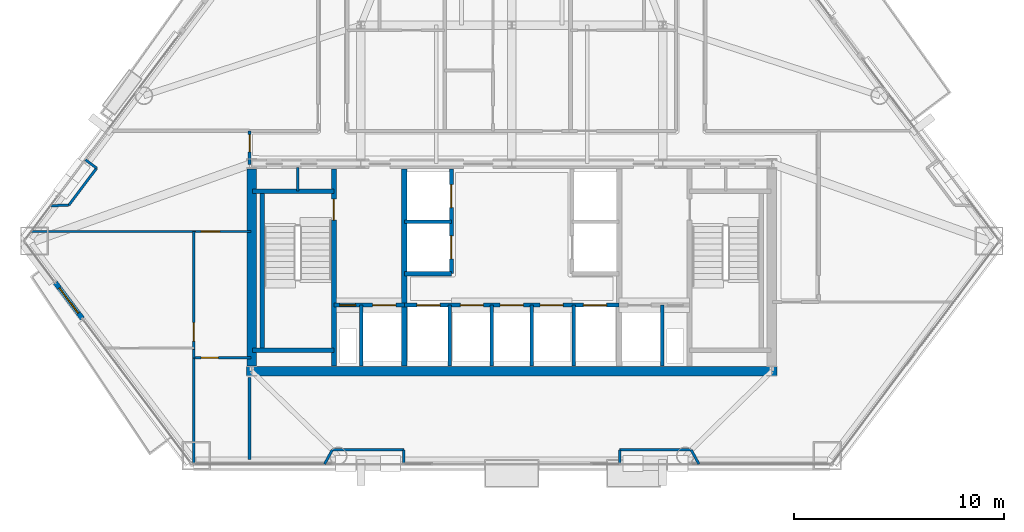
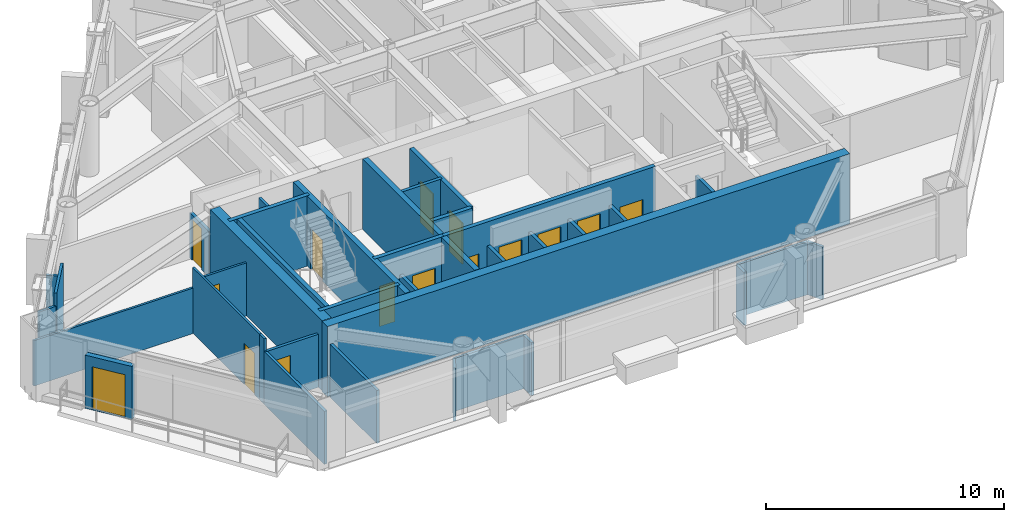
# One storey, part 6 of 11: 37 walls, 15 doors, 15 openings.
"""IFC4 building model written with IfcOpenShell, lengths in metres."""

from ifc_helpers import new_model, si_unit, direction, frame, frame_2d, origin, place, context, subcontext, project, spatial, rectangle, extrude, material, layer, layer_set, type_object, element, fill, save


model = new_model("IFC4")

# Units and contexts
model_context = context("Model", 3, precision=1e-05, world=origin(), true_north=direction((0.0, 1.0)))
body_context = subcontext(model_context, "Body", "Model", "MODEL_VIEW")
ifc_project = project(units=[si_unit("LENGTHUNIT", "METRE"), si_unit("AREAUNIT", "SQUARE_METRE"), si_unit("VOLUMEUNIT", "CUBIC_METRE"), si_unit("PLANEANGLEUNIT", "RADIAN"), si_unit("MASSUNIT", "GRAM", prefix="KILO")], contexts=[model_context])

# Site, building, storey
site_placement = place(None, origin())
site = spatial("IfcSite", under=ifc_project, at=site_placement, CompositionType="ELEMENT")
building_placement = place(site_placement, origin())
building = spatial("IfcBuilding", under=site, at=building_placement, Name="Talgorran Terracotta Tower", CompositionType="ELEMENT")
storey_placement = place(building_placement, frame((0.0, 0.0, 45.89990234375)))
storey = spatial("IfcBuildingStorey", under=building, at=storey_placement, Name="L11", CompositionType="ELEMENT", Elevation=45.89990234375)

# Wall, opening, door
ifc_material_1 = material(Name="Concrete C40/50", Category="concrete")
ifc_layer_1 = layer(ifc_material_1, 0.239990234375, Name="WT_BALCONY_SPAND")
ifc_layer_set_1 = layer_set([ifc_layer_1], Name="Concrete C40/50")
wall_type_1 = type_object("IfcWallType", Name="WT_BALCONY_SPAND", PredefinedType="STANDARD", material=ifc_layer_set_1)
wall_1_placement = place(storey_placement, frame((-21.7626953125, -9.8798828125, -0.014892578125), z_axis=(0.0, 0.0, 1.0), x_axis=(0.601568650406, -0.79882110566, 0.0)))
wall_1 = element("IfcWall", 1, at=wall_1_placement, inside=storey, type_object=wall_type_1, Name="WL-L11-BALP-BAL-SW", PredefinedType="STANDARD", context=body_context, shape_type="SweptSolid", body=[
    extrude(rectangle(XDim=2.139892578125, YDim=0.239990234375, at=frame_2d((1.06982421875, 0.0))), origin(), (0.0, 0.0, 1.0), 2.728271484375),
])
opening_1_placement = place(wall_1_placement, frame((0.320068359375, 0.0, 0.014892578125)))
opening_1 = element("IfcOpeningElement", 2, at=opening_1_placement, cuts=wall_1, Name="Opening D-BAL-L11-3", PredefinedType="OPENING", context=body_context, shape_type="SweptSolid", body=[
    extrude(rectangle(XDim=1.506, YDim=2.203951171875, at=frame_2d((0.75, 1.10205078125))), frame((0.0, 0.1298828125, 0.0), z_axis=(0.0, -1.0, 0.0), x_axis=(1.0, 0.0, 0.0)), (0.0, 0.0, 1.0), 0.260009765625),
])
ifc_material_2 = material(Name="Thermally Broken Aluminium", Category="aluminium")
door_type_1 = type_object("IfcDoorType", Name="DT_BALC_1500", OperationType="SLIDING_TO_RIGHT", PredefinedType="DOOR", material=ifc_material_2)
door_1_placement = place(opening_1_placement, origin())
door_1 = element("IfcDoor", 3, at=door_1_placement, inside=storey, type_object=door_type_1, Name="DR-L11-BAL-BAL-SW", OperationType="SLIDING_TO_RIGHT", OverallHeight=2.199951171875, OverallWidth=1.5, PredefinedType="DOOR", context=body_context, shape_type="SweptSolid", body=[
    extrude(rectangle(XDim=1.5, YDim=2.199951171875, at=frame_2d((0.75, 1.10009765625))), frame((0.0, 0.02490234375, 0.0), z_axis=(0.0, -1.0, 0.0), x_axis=(1.0, 0.0, 0.0)), (0.0, 0.0, 1.0), 0.050048828125),
])
fill(opening_1, door_1)

# Walls
ifc_material_3 = material(Name="Concrete C50/60", Category="concrete")
ifc_layer_2 = layer(ifc_material_3, 0.199951171875, Name="WT_CORE_200")
ifc_layer_set_2 = layer_set([ifc_layer_2], Name="Concrete C50/60")
wall_type_2 = type_object("IfcWallType", Name="WT_CORE_200", PredefinedType="SOLIDWALL", material=ifc_layer_set_2)
for number, where, z_axis, x_axis, name in (
    (4, (-12.35009765625, -5.52001953125, 0.0), (0.0, 0.0, 1.0), (1.0, 0.0, 0.0), "WL-L11-CW-ST1-N"),
    (5, (-12.35009765625, -13.10009765625, 0.0), (0.0, 0.0, 1.0), (1.0, 0.0, 0.0), "WL-L11-CW-ST1-S"),
):
    element("IfcWall", number, at=place(storey_placement, frame(where, z_axis=z_axis, x_axis=x_axis)), inside=storey, type_object=wall_type_2, Name=name, PredefinedType="SOLIDWALL", context=body_context, shape_type="SweptSolid", body=[
        extrude(rectangle(XDim=3.8701171875, YDim=0.199951171875, at=frame_2d((1.93505859375, 0.0))), origin(), (0.0, 0.0, 1.0), 3.60009765625),
    ])
wall_2_placement = place(storey_placement, frame((-11.89990234375, -13.10009765625, 0.0), z_axis=(0.0, 0.0, 1.0), x_axis=(0.0, 1.0, 0.0)))
element("IfcWall", 6, at=wall_2_placement, inside=storey, type_object=wall_type_2, Name="WL-L11-CW-ST1-W", PredefinedType="SOLIDWALL", context=body_context, shape_type="SweptSolid", body=[
    extrude(rectangle(XDim=7.580078125, YDim=0.199951171875, at=frame_2d((3.7900390625, 0.0))), origin(), (0.0, 0.0, 1.0), 3.60009765625),
])

# Wall, openings, doors
wall_3_placement = place(storey_placement, frame((-8.47998046875, -10.949951171875, 0.0), z_axis=(0.0, 0.0, 1.0), x_axis=(1.0, 0.0, 0.0)))
wall_3 = element("IfcWall", 7, at=wall_3_placement, inside=storey, type_object=wall_type_2, Name="WL-L11-CW-H-SBW", PredefinedType="SOLIDWALL", context=body_context, shape_type="SweptSolid", body=[
    extrude(rectangle(XDim=3.35986328125, YDim=0.199951171875, at=frame_2d((1.679931640625, 0.0))), origin(), (0.0, 0.0, 1.0), 3.60009765625),
])
opening_2_placement = place(wall_3_placement, frame((0.280029296875, 0.0, 0.0)))
opening_2 = element("IfcOpeningElement", 8, at=opening_2_placement, cuts=wall_3, Name="Opening DR-RSW", PredefinedType="OPENING", context=body_context, shape_type="SweptSolid", body=[
    extrude(rectangle(XDim=0.756, YDim=2.054048828125, at=frame_2d((0.375, 1.027099609375))), frame((0.0, 0.10986328125, 0.0), z_axis=(0.0, -1.0, 0.0), x_axis=(1.0, 0.0, 0.0)), (0.0, 0.0, 1.0), 0.219970703125),
])
opening_3_placement = place(wall_3_placement, frame((1.85009765625, 0.0, 0.0)))
opening_3 = element("IfcOpeningElement", 9, at=opening_3_placement, cuts=wall_3, Name="Opening LD-FFL1", PredefinedType="OPENING", context=body_context, shape_type="SweptSolid", body=[
    extrude(rectangle(XDim=1.10609765625, YDim=2.10409765625, at=frame_2d((0.550048828125, 1.052001953125))), frame((0.0, 0.10986328125, 0.0), z_axis=(0.0, -1.0, 0.0), x_axis=(1.0, 0.0, 0.0)), (0.0, 0.0, 1.0), 0.219970703125),
])
ifc_material_4 = material(Name="Brushed Stainless Steel Grade 304", Category="steel")
door_type_2 = type_object("IfcDoorType", Name="DT_LIFT_LD1100", OperationType="DOUBLE_DOOR_SLIDING", PredefinedType="DOOR", material=ifc_material_4)
door_2_placement = place(opening_3_placement, origin())
door_2 = element("IfcDoor", 10, at=door_2_placement, inside=storey, type_object=door_type_2, Name="L11 Lift Landing Door LD-FFL1", OperationType="DOUBLE_DOOR_SLIDING", OverallHeight=2.10009765625, OverallWidth=1.10009765625, PredefinedType="DOOR", context=body_context, shape_type="SweptSolid", body=[
    extrude(rectangle(XDim=1.10009765625, YDim=2.10009765625, at=frame_2d((0.550048828125, 1.050048828125))), frame((0.0, 0.02490234375, 0.0), z_axis=(0.0, -1.0, 0.0), x_axis=(1.0, 0.0, 0.0)), (0.0, 0.0, 1.0), 0.050048828125),
])
fill(opening_3, door_2)
ifc_material_5 = material(Name="Fire-Rated Pressed Steel", Category="steel")
door_type_3 = type_object("IfcDoorType", Name="DT_RISER_750", OperationType="NOTDEFINED", PredefinedType="DOOR", material=ifc_material_5)
door_3_placement = place(opening_2_placement, origin())
door_3 = element("IfcDoor", 11, at=door_3_placement, inside=storey, type_object=door_type_3, Name="DR-RSW", OperationType="SINGLE_SWING_LEFT", OverallHeight=2.050048828125, OverallWidth=0.75, PredefinedType="DOOR", context=body_context, shape_type="SweptSolid", body=[
    extrude(rectangle(XDim=0.75, YDim=2.050048828125, at=frame_2d((0.375, 1.02490234375))), frame((0.0, 0.02490234375, 0.0), z_axis=(0.0, -1.0, 0.0), x_axis=(1.0, 0.0, 0.0)), (0.0, 0.0, 1.0), 0.050048828125),
])
fill(opening_2, door_3)

wall_4_placement = place(storey_placement, frame((-5.1201171875, -10.949951171875, 0.0), z_axis=(0.0, 0.0, 1.0), x_axis=(1.0, 0.0, 0.0)))
wall_4 = element("IfcWall", 12, at=wall_4_placement, inside=storey, type_object=wall_type_2, Name="WL-L11-CW-H-SBC", PredefinedType="SOLIDWALL", context=body_context, shape_type="SweptSolid", body=[
    extrude(rectangle(XDim=10.240234375, YDim=0.199951171875, at=frame_2d((5.1201171875, 0.0))), origin(), (0.0, 0.0, 1.0), 3.60009765625),
])
opening_4_placement = place(wall_4_placement, frame((0.60009765625, 0.0, 0.0)))
opening_4 = element("IfcOpeningElement", 13, at=opening_4_placement, cuts=wall_4, Name="Opening LD-OB1", PredefinedType="OPENING", context=body_context, shape_type="SweptSolid", body=[
    extrude(rectangle(XDim=1.10609765625, YDim=2.10409765625, at=frame_2d((0.550048828125, 1.052001953125))), frame((0.0, 0.10986328125, 0.0), z_axis=(0.0, -1.0, 0.0), x_axis=(1.0, 0.0, 0.0)), (0.0, 0.0, 1.0), 0.219970703125),
])
opening_5_placement = place(wall_4_placement, frame((2.669921875, 0.0, 0.0)))
opening_5 = element("IfcOpeningElement", 14, at=opening_5_placement, cuts=wall_4, Name="Opening LD-PLH1", PredefinedType="OPENING", context=body_context, shape_type="SweptSolid", body=[
    extrude(rectangle(XDim=1.10609765625, YDim=2.10409765625, at=frame_2d((0.550048828125, 1.052001953125))), frame((0.0, 0.10986328125, 0.0), z_axis=(0.0, -1.0, 0.0), x_axis=(1.0, 0.0, 0.0)), (0.0, 0.0, 1.0), 0.219970703125),
])
opening_6_placement = place(wall_4_placement, frame((4.570068359375, 0.0, 0.0)))
opening_6 = element("IfcOpeningElement", 15, at=opening_6_placement, cuts=wall_4, Name="Opening LD-PLH2", PredefinedType="OPENING", context=body_context, shape_type="SweptSolid", body=[
    extrude(rectangle(XDim=1.10609765625, YDim=2.10409765625, at=frame_2d((0.550048828125, 1.052001953125))), frame((0.0, 0.10986328125, 0.0), z_axis=(0.0, -1.0, 0.0), x_axis=(1.0, 0.0, 0.0)), (0.0, 0.0, 1.0), 0.219970703125),
])
opening_7_placement = place(wall_4_placement, frame((6.469970703125, 0.0, 0.0)))
opening_7 = element("IfcOpeningElement", 16, at=opening_7_placement, cuts=wall_4, Name="Opening LD-PLH3", PredefinedType="OPENING", context=body_context, shape_type="SweptSolid", body=[
    extrude(rectangle(XDim=1.10609765625, YDim=2.10409765625, at=frame_2d((0.550048828125, 1.052001953125))), frame((0.0, 0.10986328125, 0.0), z_axis=(0.0, -1.0, 0.0), x_axis=(1.0, 0.0, 0.0)), (0.0, 0.0, 1.0), 0.219970703125),
])
opening_8_placement = place(wall_4_placement, frame((8.5400390625, 0.0, 0.0)))
opening_8 = element("IfcOpeningElement", 17, at=opening_8_placement, cuts=wall_4, Name="Opening LD-SVL1", PredefinedType="OPENING", context=body_context, shape_type="SweptSolid", body=[
    extrude(rectangle(XDim=1.10609765625, YDim=2.10409765625, at=frame_2d((0.550048828125, 1.052001953125))), frame((0.0, 0.10986328125, 0.0), z_axis=(0.0, -1.0, 0.0), x_axis=(1.0, 0.0, 0.0)), (0.0, 0.0, 1.0), 0.219970703125),
])
door_4_placement = place(opening_4_placement, origin())
door_4 = element("IfcDoor", 18, at=door_4_placement, inside=storey, type_object=door_type_2, Name="L11 Lift Landing Door LD-OB1", OperationType="DOUBLE_DOOR_SLIDING", OverallHeight=2.10009765625, OverallWidth=1.10009765625, PredefinedType="DOOR", context=body_context, shape_type="SweptSolid", body=[
    extrude(rectangle(XDim=1.10009765625, YDim=2.10009765625, at=frame_2d((0.550048828125, 1.050048828125))), frame((0.0, 0.02490234375, 0.0), z_axis=(0.0, -1.0, 0.0), x_axis=(1.0, 0.0, 0.0)), (0.0, 0.0, 1.0), 0.050048828125),
])
fill(opening_4, door_4)
door_5_placement = place(opening_5_placement, origin())
door_5 = element("IfcDoor", 19, at=door_5_placement, inside=storey, type_object=door_type_2, Name="L11 Lift Landing Door LD-PLH1", OperationType="DOUBLE_DOOR_SLIDING", OverallHeight=2.10009765625, OverallWidth=1.10009765625, PredefinedType="DOOR", context=body_context, shape_type="SweptSolid", body=[
    extrude(rectangle(XDim=1.10009765625, YDim=2.10009765625, at=frame_2d((0.550048828125, 1.050048828125))), frame((0.0, 0.02490234375, 0.0), z_axis=(0.0, -1.0, 0.0), x_axis=(1.0, 0.0, 0.0)), (0.0, 0.0, 1.0), 0.050048828125),
])
fill(opening_5, door_5)
door_6_placement = place(opening_6_placement, origin())
door_6 = element("IfcDoor", 20, at=door_6_placement, inside=storey, type_object=door_type_2, Name="L11 Lift Landing Door LD-PLH2", OperationType="DOUBLE_DOOR_SLIDING", OverallHeight=2.10009765625, OverallWidth=1.10009765625, PredefinedType="DOOR", context=body_context, shape_type="SweptSolid", body=[
    extrude(rectangle(XDim=1.10009765625, YDim=2.10009765625, at=frame_2d((0.550048828125, 1.050048828125))), frame((0.0, 0.02490234375, 0.0), z_axis=(0.0, -1.0, 0.0), x_axis=(1.0, 0.0, 0.0)), (0.0, 0.0, 1.0), 0.050048828125),
])
fill(opening_6, door_6)
door_7_placement = place(opening_7_placement, origin())
door_7 = element("IfcDoor", 21, at=door_7_placement, inside=storey, type_object=door_type_2, Name="L11 Lift Landing Door LD-PLH3", OperationType="DOUBLE_DOOR_SLIDING", OverallHeight=2.10009765625, OverallWidth=1.10009765625, PredefinedType="DOOR", context=body_context, shape_type="SweptSolid", body=[
    extrude(rectangle(XDim=1.10009765625, YDim=2.10009765625, at=frame_2d((0.550048828125, 1.050048828125))), frame((0.0, 0.02490234375, 0.0), z_axis=(0.0, -1.0, 0.0), x_axis=(1.0, 0.0, 0.0)), (0.0, 0.0, 1.0), 0.050048828125),
])
fill(opening_7, door_7)
door_8_placement = place(opening_8_placement, origin())
door_8 = element("IfcDoor", 22, at=door_8_placement, inside=storey, type_object=door_type_2, Name="L11 Lift Landing Door LD-SVL1", OperationType="DOUBLE_DOOR_SLIDING", OverallHeight=2.10009765625, OverallWidth=1.10009765625, PredefinedType="DOOR", context=body_context, shape_type="SweptSolid", body=[
    extrude(rectangle(XDim=1.10009765625, YDim=2.10009765625, at=frame_2d((0.550048828125, 1.050048828125))), frame((0.0, 0.02490234375, 0.0), z_axis=(0.0, -1.0, 0.0), x_axis=(1.0, 0.0, 0.0)), (0.0, 0.0, 1.0), 0.050048828125),
])
fill(opening_8, door_8)

wall_5_placement = place(storey_placement, frame((-2.8798828125, -9.449951171875, 0.0), z_axis=(0.0, 0.0, 1.0), x_axis=(0.0, 1.0, 0.0)))
wall_5 = element("IfcWall", 23, at=wall_5_placement, inside=storey, type_object=wall_type_2, Name="WL-L11-CW-V-W3", PredefinedType="SOLIDWALL", context=body_context, shape_type="SweptSolid", body=[
    extrude(rectangle(XDim=5.0, YDim=0.199951171875, at=frame_2d((2.5, 0.0))), origin(), (0.0, 0.0, 1.0), 3.35009765625),
])
opening_9_placement = place(wall_5_placement, frame((0.699951171875, 0.0, 0.0)))
opening_9 = element("IfcOpeningElement", 24, at=opening_9_placement, cuts=wall_5, Name="Opening LD-PLL1", PredefinedType="OPENING", context=body_context, shape_type="SweptSolid", body=[
    extrude(rectangle(XDim=1.10609765625, YDim=2.10409765625, at=frame_2d((0.550048828125, 1.052001953125))), frame((0.0, 0.10986328125, 0.0), z_axis=(0.0, -1.0, 0.0), x_axis=(1.0, 0.0, 0.0)), (0.0, 0.0, 1.0), 0.219970703125),
])
opening_10_placement = place(wall_5_placement, frame((3.14990234375, 0.0, 0.0)))
opening_10 = element("IfcOpeningElement", 25, at=opening_10_placement, cuts=wall_5, Name="Opening LD-PLL2", PredefinedType="OPENING", context=body_context, shape_type="SweptSolid", body=[
    extrude(rectangle(XDim=1.10609765625, YDim=2.10409765625, at=frame_2d((0.550048828125, 1.052001953125))), frame((0.0, 0.10986328125, 0.0), z_axis=(0.0, -1.0, 0.0), x_axis=(1.0, 0.0, 0.0)), (0.0, 0.0, 1.0), 0.219970703125),
])
door_9_placement = place(opening_9_placement, origin())
door_9 = element("IfcDoor", 26, at=door_9_placement, inside=storey, type_object=door_type_2, Name="L11 Lift Landing Door LD-PLL1", OperationType="DOUBLE_DOOR_SLIDING", OverallHeight=2.10009765625, OverallWidth=1.10009765625, PredefinedType="DOOR", context=body_context, shape_type="SweptSolid", body=[
    extrude(rectangle(XDim=1.10009765625, YDim=2.10009765625, at=frame_2d((0.550048828125, 1.050048828125))), frame((0.0, 0.02490234375, 0.0), z_axis=(0.0, -1.0, 0.0), x_axis=(1.0, 0.0, 0.0)), (0.0, 0.0, 1.0), 0.050048828125),
])
fill(opening_9, door_9)
door_10_placement = place(opening_10_placement, origin())
door_10 = element("IfcDoor", 27, at=door_10_placement, inside=storey, type_object=door_type_2, Name="L11 Lift Landing Door LD-PLL2", OperationType="DOUBLE_DOOR_SLIDING", OverallHeight=2.10009765625, OverallWidth=1.10009765625, PredefinedType="DOOR", context=body_context, shape_type="SweptSolid", body=[
    extrude(rectangle(XDim=1.10009765625, YDim=2.10009765625, at=frame_2d((0.550048828125, 1.050048828125))), frame((0.0, 0.02490234375, 0.0), z_axis=(0.0, -1.0, 0.0), x_axis=(1.0, 0.0, 0.0)), (0.0, 0.0, 1.0), 0.050048828125),
])
fill(opening_10, door_10)

# Wall
wall_6_placement = place(storey_placement, frame((-5.1201171875, -9.449951171875, 0.0), z_axis=(0.0, 0.0, 1.0), x_axis=(1.0, 0.0, 0.0)))
element("IfcWall", 28, at=wall_6_placement, inside=storey, type_object=wall_type_2, Name="WL-L11-CW-H-W4", PredefinedType="SOLIDWALL", context=body_context, shape_type="SweptSolid", body=[
    extrude(rectangle(XDim=2.240234375, YDim=0.199951171875, at=frame_2d((1.1201171875, 0.0))), origin(), (0.0, 0.0, 1.0), 3.35009765625),
])

# Wall, opening, door
ifc_layer_3 = layer(ifc_material_3, 0.25, Name="WT_CORE_250")
ifc_layer_set_3 = layer_set([ifc_layer_3], Name="Concrete C50/60")
wall_type_3 = type_object("IfcWallType", Name="WT_CORE_250", PredefinedType="SHEAR", material=ifc_layer_set_3)
wall_7_placement = place(storey_placement, frame((-8.47998046875, -13.85009765625, 0.0), z_axis=(0.0, 0.0, 1.0), x_axis=(0.0, 1.0, 0.0)))
wall_7 = element("IfcWall", 29, at=wall_7_placement, inside=storey, type_object=wall_type_3, Name="WL-L11-CW-V-W1", PredefinedType="SHEAR", context=body_context, shape_type="SweptSolid", body=[
    extrude(rectangle(XDim=9.400146484375, YDim=0.25, at=frame_2d((4.7001953125, 0.0))), origin(), (0.0, 0.0, 1.0), 3.60009765625),
])
opening_11_placement = place(wall_7_placement, frame((6.949951171875, 0.0, 0.0)))
opening_11 = element("IfcOpeningElement", 30, at=opening_11_placement, cuts=wall_7, Name="Opening DR-ST01", PredefinedType="OPENING", context=body_context, shape_type="SweptSolid", body=[
    extrude(rectangle(XDim=1.006, YDim=2.10409765625, at=frame_2d((0.5, 1.052001953125))), frame((0.0, 0.135009765625, 0.0), z_axis=(0.0, -1.0, 0.0), x_axis=(1.0, 0.0, 0.0)), (0.0, 0.0, 1.0), 0.27001953125),
])
door_type_4 = type_object("IfcDoorType", Name="DT_FIRE_1000", OperationType="NOTDEFINED", PredefinedType="DOOR", material=ifc_material_5)
door_11_placement = place(opening_11_placement, origin())
door_11 = element("IfcDoor", 31, at=door_11_placement, inside=storey, type_object=door_type_4, Name="DR-ST01", OperationType="SINGLE_SWING_LEFT", OverallHeight=2.10009765625, OverallWidth=1.0, PredefinedType="DOOR", context=body_context, shape_type="SweptSolid", body=[
    extrude(rectangle(XDim=1.0, YDim=2.10009765625, at=frame_2d((0.5, 1.050048828125))), frame((0.0, 0.02490234375, 0.0), z_axis=(0.0, -1.0, 0.0), x_axis=(1.0, 0.0, 0.0)), (0.0, 0.0, 1.0), 0.050048828125),
])
fill(opening_11, door_11)

# Walls
wall_8_placement = place(storey_placement, frame((-5.1201171875, -13.85009765625, 0.0), z_axis=(0.0, 0.0, 1.0), x_axis=(0.0, 1.0, 0.0)))
element("IfcWall", 32, at=wall_8_placement, inside=storey, type_object=wall_type_3, Name="WL-L11-CW-V-W2", PredefinedType="SHEAR", context=body_context, shape_type="SweptSolid", body=[
    extrude(rectangle(XDim=9.400146484375, YDim=0.25, at=frame_2d((4.7001953125, 0.0))), origin(), (0.0, 0.0, 1.0), 3.60009765625),
])
ifc_material_6 = material(Name="Concrete C65/80", Category="concrete")
ifc_layer_4 = layer(ifc_material_6, 0.449951171875, Name="WT_CORE_EXT")
ifc_layer_set_4 = layer_set([ifc_layer_4], Name="Concrete C65/80")
wall_type_4 = type_object("IfcWallType", Name="WT_CORE_EXT", PredefinedType="SHEAR", material=ifc_layer_set_4)
wall_9_placement = place(storey_placement, frame((-12.64990234375, -14.10009765625, 0.0), z_axis=(0.0, 0.0, 1.0), x_axis=(1.0, 0.0, 0.0)))
element("IfcWall", 33, at=wall_9_placement, inside=storey, type_object=wall_type_4, Name="WL-L11-CW-OUT-S", PredefinedType="SHEAR", context=body_context, shape_type="SweptSolid", body=[
    extrude(rectangle(XDim=25.2998046875, YDim=0.449951171875, at=frame_2d((12.64990234375, 0.0))), origin(), (0.0, 0.0, 1.0), 3.60009765625),
])
wall_10_placement = place(storey_placement, frame((-12.39990234375, -13.85009765625, 0.0), z_axis=(0.0, 0.0, 1.0), x_axis=(0.0, 1.0, 0.0)))
element("IfcWall", 34, at=wall_10_placement, inside=storey, type_object=wall_type_4, Name="WL-L11-CW-OUT-W", PredefinedType="SHEAR", context=body_context, shape_type="SweptSolid", body=[
    extrude(rectangle(XDim=9.400146484375, YDim=0.449951171875, at=frame_2d((4.7001953125, 0.0))), origin(), (0.0, 0.0, 1.0), 3.60009765625),
])

# Wall, opening, door
ifc_material_7 = material(Name="Fire-Rated Steel Stud Plasterboard", Category="steel")
ifc_layer_5 = layer(ifc_material_7, 0.14990234375, Name="WT_FIRE_150")
ifc_layer_set_5 = layer_set([ifc_layer_5], Name="Fire-Rated Steel Stud Plasterboard")
wall_type_5 = type_object("IfcWallType", Name="WT_FIRE_150", PredefinedType="PARTITIONING", material=ifc_layer_set_5)
wall_11_placement = place(storey_placement, frame((-12.5, -4.239990234375, 0.0), z_axis=(0.0, 0.0, 1.0), x_axis=(0.0, 1.0, 0.0)))
wall_11 = element("IfcWall", 35, at=wall_11_placement, inside=storey, type_object=wall_type_5, Name="WL-L11-W-L11-R01", PredefinedType="PARTITIONING", context=body_context, shape_type="SweptSolid", body=[
    extrude(rectangle(XDim=1.60009765625, YDim=0.14990234375, at=frame_2d((0.800048828125, 0.0))), origin(), (0.0, 0.0, 1.0), 2.3251953125),
])
opening_12_placement = place(wall_11_placement, frame((0.602294921875, 0.0, 0.0)))
opening_12 = element("IfcOpeningElement", 36, at=opening_12_placement, cuts=wall_11, Name="Opening DR-L11-R01", PredefinedType="OPENING", context=body_context, shape_type="SweptSolid", body=[
    extrude(rectangle(XDim=0.826068359375, YDim=2.10409765625, at=frame_2d((0.41015625, 1.052001953125))), frame((0.0, 0.0849609375, 0.0), z_axis=(0.0, -1.0, 0.0), x_axis=(1.0, 0.0, 0.0)), (0.0, 0.0, 1.0), 0.169921875),
])
ifc_material_8 = material(Name="Moisture-Resistant Solid Timber", Category="wood")
door_type_5 = type_object("IfcDoorType", Name="DT_INT_820", OperationType="NOTDEFINED", PredefinedType="DOOR", material=ifc_material_8)
door_12_placement = place(opening_12_placement, origin())
door_12 = element("IfcDoor", 37, at=door_12_placement, inside=storey, type_object=door_type_5, Name="DR-L11-R01", OperationType="SINGLE_SWING_LEFT", OverallHeight=2.10009765625, OverallWidth=0.820068359375, PredefinedType="DOOR", context=body_context, shape_type="SweptSolid", body=[
    extrude(rectangle(XDim=0.820068359375, YDim=2.10009765625, at=frame_2d((0.41015625, 1.050048828125))), frame((0.0, 0.02490234375, 0.0), z_axis=(0.0, -1.0, 0.0), x_axis=(1.0, 0.0, 0.0)), (0.0, 0.0, 1.0), 0.050048828125),
])
fill(opening_12, door_12)

# Wall
ifc_material_9 = material(Name="Lightweight Steel Stud Partition", Category="steel")
ifc_layer_6 = layer(ifc_material_9, 0.10498046875, Name="WT_PART_110")
ifc_layer_set_6 = layer_set([ifc_layer_6], Name="Lightweight Steel Stud Partition")
wall_type_6 = type_object("IfcWallType", Name="WT_PART_110", PredefinedType="PARTITIONING", material=ifc_layer_set_6)
wall_12_placement = place(storey_placement, frame((-22.919189453125, -7.43994140625, 0.0), z_axis=(0.0, 0.0, 1.0), x_axis=(1.0, 0.0, 0.0)))
element("IfcWall", 38, at=wall_12_placement, inside=storey, type_object=wall_type_6, Name="WL-L11-W-L11-R24", PredefinedType="PARTITIONING", context=body_context, shape_type="SweptSolid", body=[
    extrude(rectangle(XDim=7.839111328125, YDim=0.10498046875, at=frame_2d((3.91943359375, 0.0))), origin(), (0.0, 0.0, 1.0), 2.3251953125),
])

# Wall, opening, door
wall_13_placement = place(storey_placement, frame((-15.159912109375, -13.06005859375, 0.0), z_axis=(0.0, 0.0, 1.0), x_axis=(0.0, 1.0, 0.0)))
wall_13 = element("IfcWall", 39, at=wall_13_placement, inside=storey, type_object=wall_type_6, Name="WL-L11-W-L11-R29", PredefinedType="PARTITIONING", context=body_context, shape_type="SweptSolid", body=[
    extrude(rectangle(XDim=5.6201171875, YDim=0.10498046875, at=frame_2d((2.81005859375, 0.0))), origin(), (0.0, 0.0, 1.0), 3.35009765625),
])
opening_13_placement = place(wall_13_placement, frame((0.398681640625, 0.0, 0.0)))
opening_13 = element("IfcOpeningElement", 40, at=opening_13_placement, cuts=wall_13, Name="Opening DR-L11-R24", PredefinedType="OPENING", context=body_context, shape_type="SweptSolid", body=[
    extrude(rectangle(XDim=0.8858828125, YDim=2.10409765625, at=frame_2d((0.43994140625, 1.052001953125))), frame((0.0, 0.0625, 0.0), z_axis=(0.0, -1.0, 0.0), x_axis=(1.0, 0.0, 0.0)), (0.0, 0.0, 1.0), 0.125),
])
ifc_material_10 = material(Name="Solid-Core Painted Timber", Category="wood")
door_type_6 = type_object("IfcDoorType", Name="DT_INT_880", OperationType="NOTDEFINED", PredefinedType="DOOR", material=ifc_material_10)
door_13_placement = place(opening_13_placement, origin())
door_13 = element("IfcDoor", 41, at=door_13_placement, inside=storey, type_object=door_type_6, Name="DR-L11-R24", OperationType="SINGLE_SWING_RIGHT", OverallHeight=2.10009765625, OverallWidth=0.8798828125, PredefinedType="DOOR", context=body_context, shape_type="SweptSolid", body=[
    extrude(rectangle(XDim=0.8798828125, YDim=2.10009765625, at=frame_2d((0.43994140625, 1.050048828125))), frame((0.0, 0.02490234375, 0.0), z_axis=(0.0, -1.0, 0.0), x_axis=(1.0, 0.0, 0.0)), (0.0, 0.0, 1.0), 0.050048828125),
])
fill(opening_13, door_13)

wall_14_placement = place(storey_placement, frame((-15.077880859375, -7.43994140625, 0.0), z_axis=(0.0, 0.0, 1.0), x_axis=(1.0, 0.0, 0.0)))
wall_14 = element("IfcWall", 42, at=wall_14_placement, inside=storey, type_object=wall_type_6, Name="WL-L11-W-L11-R23", PredefinedType="PARTITIONING", context=body_context, shape_type="SweptSolid", body=[
    extrude(rectangle(XDim=2.637939453125, YDim=0.10498046875, at=frame_2d((1.31884765625, 0.0))), origin(), (0.0, 0.0, 1.0), 2.71337890625),
])
opening_14_placement = place(wall_14_placement, frame((0.27392578125, 0.0, 0.0)))
opening_14 = element("IfcOpeningElement", 43, at=opening_14_placement, cuts=wall_14, Name="Opening DR-L11-R23", PredefinedType="OPENING", context=body_context, shape_type="SweptSolid", body=[
    extrude(rectangle(XDim=0.8858828125, YDim=2.10409765625, at=frame_2d((0.43994140625, 1.052001953125))), frame((0.0, 0.0625, 0.0), z_axis=(0.0, -1.0, 0.0), x_axis=(1.0, 0.0, 0.0)), (0.0, 0.0, 1.0), 0.125),
])
door_14_placement = place(opening_14_placement, origin())
door_14 = element("IfcDoor", 44, at=door_14_placement, inside=storey, type_object=door_type_6, Name="DR-L11-R23", OperationType="SINGLE_SWING_LEFT", OverallHeight=2.10009765625, OverallWidth=0.8798828125, PredefinedType="DOOR", context=body_context, shape_type="SweptSolid", body=[
    extrude(rectangle(XDim=0.8798828125, YDim=2.10009765625, at=frame_2d((0.43994140625, 1.050048828125))), frame((0.0, 0.02490234375, 0.0), z_axis=(0.0, -1.0, 0.0), x_axis=(1.0, 0.0, 0.0)), (0.0, 0.0, 1.0), 0.050048828125),
])
fill(opening_14, door_14)

# Walls
wall_15_placement = place(storey_placement, frame((-15.159912109375, -13.4599609375, 0.0), z_axis=(0.0, 0.0, 1.0), x_axis=(0.0, 1.0, 0.0)))
element("IfcWall", 45, at=wall_15_placement, inside=storey, type_object=wall_type_6, Name="WL-L11-W-L11-R28", PredefinedType="PARTITIONING", context=body_context, shape_type="SweptSolid", body=[
    extrude(rectangle(XDim=0.39794921875, YDim=0.10498046875, at=frame_2d((0.198974609375, 0.0))), origin(), (0.0, 0.0, 1.0), 3.35009765625),
])
ifc_material_11 = material(Name="Insulated Steel Stud Plasterboard", Category="steel")
ifc_layer_7 = layer(ifc_material_11, 0.1201171875, Name="WT_PART_120")
ifc_layer_set_7 = layer_set([ifc_layer_7], Name="Insulated Steel Stud Plasterboard")
wall_type_7 = type_object("IfcWallType", Name="WT_PART_120", PredefinedType="PARTITIONING", material=ifc_layer_set_7)
wall_16_placement = place(storey_placement, frame((-10.199951171875, -5.52001953125, 0.0), z_axis=(0.0, 0.0, 1.0), x_axis=(0.0, 1.0, 0.0)))
element("IfcWall", 46, at=wall_16_placement, inside=storey, type_object=wall_type_7, Name="WL-L11-CW-CSW-DIV", PredefinedType="PARTITIONING", context=body_context, shape_type="SweptSolid", body=[
    extrude(rectangle(XDim=1.1201171875, YDim=0.1201171875, at=frame_2d((0.56005859375, 0.0))), origin(), (0.0, 0.0, 1.0), 3.35009765625),
])
for number, where, z_axis, x_axis, name in (
    (47, (-8.55615234375, -17.855712890625, 0.0), (0.0, 0.0, 1.0), (1.0, 0.0, 0.0), "WL-L11-BW-L11-01"),
    (48, (5.14501953125, -17.855712890625, 0.0), (0.0, 0.0, 1.0), (1.0, 0.0, 0.0), "WL-L11-BW-L11-06"),
):
    element("IfcWall", number, at=place(storey_placement, frame(where, z_axis=z_axis, x_axis=x_axis)), inside=storey, type_object=wall_type_7, Name=name, PredefinedType="PARTITIONING", context=body_context, shape_type="SweptSolid", body=[
        extrude(rectangle(XDim=3.4111328125, YDim=0.1201171875, at=frame_2d((1.70556640625, 0.0))), origin(), (0.0, 0.0, 1.0), 2.71337890625),
    ])
wall_17_placement = place(storey_placement, frame((-19.793212890625, -4.419921875, 0.0), z_axis=(0.0, 0.0, 1.0), x_axis=(-0.601604540601, -0.798794076548, 0.0)))
element("IfcWall", 49, at=wall_17_placement, inside=storey, type_object=wall_type_7, Name="WL-L11-BW-L11-08", PredefinedType="PARTITIONING", context=body_context, shape_type="SweptSolid", body=[
    extrude(rectangle(XDim=2.213623046875, YDim=0.1201171875, at=frame_2d((1.10693359375, 0.0))), origin(), (0.0, 0.0, 1.0), 3.35009765625),
])
wall_18_placement = place(storey_placement, frame((-21.125, -6.188232421875, 0.0), z_axis=(0.0, 0.0, 1.0), x_axis=(-0.999744633781, -0.022597947373, 0.0)))
element("IfcWall", 50, at=wall_18_placement, inside=storey, type_object=wall_type_7, Name="WL-L11-BW-L11-09", PredefinedType="PARTITIONING", context=body_context, shape_type="SweptSolid", body=[
    extrude(rectangle(XDim=0.853515625, YDim=0.1201171875, at=frame_2d((0.4267578125, 0.0))), origin(), (0.0, 0.0, 1.0), 2.71337890625),
])
for number, where, z_axis, x_axis, name in (
    (51, (-8.923583984375, -18.525634765625, 0.0), (0.0, 0.0, 1.0), (0.480888080126, 0.87678198795, 0.0), "WL-L11-BW-L11-03"),
    (52, (8.55615234375, -17.855712890625, 0.0), (0.0, 0.0, 1.0), (0.480888080126, -0.87678198795, 0.0), "WL-L11-BW-L11-04"),
):
    element("IfcWall", number, at=place(storey_placement, frame(where, z_axis=z_axis, x_axis=x_axis)), inside=storey, type_object=wall_type_7, Name=name, PredefinedType="PARTITIONING", context=body_context, shape_type="SweptSolid", body=[
        extrude(rectangle(XDim=0.76416015625, YDim=0.1201171875, at=frame_2d((0.382080078125, 0.0))), origin(), (0.0, 0.0, 1.0), 2.71337890625),
    ])
for number, where, z_axis, x_axis, name in (
    (53, (-5.14501953125, -17.855712890625, 0.0), (0.0, 0.0, 1.0), (0.0, -1.0, 0.0), "WL-L11-BW-L11-02"),
    (54, (5.14501953125, -18.525634765625, 0.0), (0.0, 0.0, 1.0), (0.0, 1.0, 0.0), "WL-L11-BW-L11-05"),
    (55, (-20.328369140625, -4.01708984375, 0.0), (0.0, 0.0, 1.0), (0.798949061571, -0.601398700544, 0.0), "WL-L11-BW-L11-07"),
):
    element("IfcWall", number, at=place(storey_placement, frame(where, z_axis=z_axis, x_axis=x_axis)), inside=storey, type_object=wall_type_7, Name=name, PredefinedType="PARTITIONING", context=body_context, shape_type="SweptSolid", body=[
        extrude(rectangle(XDim=0.669921875, YDim=0.1201171875, at=frame_2d((0.3349609375, 0.0))), origin(), (0.0, 0.0, 1.0), 2.71337890625),
    ])
ifc_material_12 = material(Name="Moisture-Resistant Stud Wall")
ifc_layer_8 = layer(ifc_material_12, 0.135009765625, Name="WT_PART_135")
ifc_layer_set_8 = layer_set([ifc_layer_8], Name="Moisture-Resistant Stud Wall")
wall_type_8 = type_object("IfcWallType", Name="WT_PART_135", PredefinedType="PARTITIONING", material=ifc_layer_set_8)
wall_19_placement = place(storey_placement, frame((-15.159912109375, -18.53564453125, 0.0), z_axis=(0.0, 0.0, 1.0), x_axis=(0.0, 1.0, 0.0)))
element("IfcWall", 56, at=wall_19_placement, inside=storey, type_object=wall_type_8, Name="WL-L11-W-L11-R27", PredefinedType="PARTITIONING", context=body_context, shape_type="SweptSolid", body=[
    extrude(rectangle(XDim=5.07568359375, YDim=0.135009765625, at=frame_2d((2.537841796875, 0.0))), origin(), (0.0, 0.0, 1.0), 2.71337890625),
])

# Wall, opening, door
wall_20_placement = place(storey_placement, frame((-15.159912109375, -13.4599609375, 0.0), z_axis=(0.0, 0.0, 1.0), x_axis=(1.0, 0.0, 0.0)))
wall_20 = element("IfcWall", 57, at=wall_20_placement, inside=storey, type_object=wall_type_8, Name="WL-L11-W-L11-R26", PredefinedType="PARTITIONING", context=body_context, shape_type="SweptSolid", body=[
    extrude(rectangle(XDim=2.719970703125, YDim=0.135009765625, at=frame_2d((1.35986328125, 0.0))), origin(), (0.0, 0.0, 1.0), 2.71337890625),
])
opening_15_placement = place(wall_20_placement, frame((0.353271484375, 0.0, 0.0)))
opening_15 = element("IfcOpeningElement", 58, at=opening_15_placement, cuts=wall_20, Name="Opening DR-L11-R02", PredefinedType="OPENING", context=body_context, shape_type="SweptSolid", body=[
    extrude(rectangle(XDim=0.826068359375, YDim=2.10409765625, at=frame_2d((0.41015625, 1.052001953125))), frame((0.0, 0.07763671875, 0.0), z_axis=(0.0, -1.0, 0.0), x_axis=(1.0, 0.0, 0.0)), (0.0, 0.0, 1.0), 0.155029296875),
])
door_15_placement = place(opening_15_placement, origin())
door_15 = element("IfcDoor", 59, at=door_15_placement, inside=storey, type_object=door_type_5, Name="DR-L11-R02", OperationType="SINGLE_SWING_RIGHT", OverallHeight=2.10009765625, OverallWidth=0.820068359375, PredefinedType="DOOR", context=body_context, shape_type="SweptSolid", body=[
    extrude(rectangle(XDim=0.820068359375, YDim=2.10009765625, at=frame_2d((0.41015625, 1.050048828125))), frame((0.0, 0.02490234375, 0.0), z_axis=(0.0, -1.0, 0.0), x_axis=(1.0, 0.0, 0.0)), (0.0, 0.0, 1.0), 0.050048828125),
])
fill(opening_15, door_15)

# Walls
wall_21_placement = place(storey_placement, frame((-12.5, -14.39990234375, 0.0), z_axis=(0.0, 0.0, 1.0), x_axis=(0.0, -1.0, 0.0)))
element("IfcWall", 60, at=wall_21_placement, inside=storey, type_object=wall_type_8, Name="WL-L11-W-L11-R67", PredefinedType="PARTITIONING", context=body_context, shape_type="SweptSolid", body=[
    extrude(rectangle(XDim=3.915771484375, YDim=0.135009765625, at=frame_2d((1.9580078125, 0.0))), origin(), (0.0, 0.0, 1.0), 2.71337890625),
])
ifc_material_13 = material(Name="Fire-Rated Shaftwall")
ifc_layer_9 = layer(ifc_material_13, 0.159912109375, Name="WT_PART_150")
ifc_layer_set_9 = layer_set([ifc_layer_9], Name="Fire-Rated Shaftwall")
wall_type_9 = type_object("IfcWallType", Name="WT_PART_150", PredefinedType="PARTITIONING", material=ifc_layer_set_9)
wall_22_placement = place(storey_placement, frame((-5.1201171875, -6.97998046875, 0.0), z_axis=(0.0, 0.0, 1.0), x_axis=(1.0, 0.0, 0.0)))
element("IfcWall", 61, at=wall_22_placement, inside=storey, type_object=wall_type_9, Name="WL-L11-CW-PLL-DIV", PredefinedType="PARTITIONING", context=body_context, shape_type="SweptSolid", body=[
    extrude(rectangle(XDim=2.240234375, YDim=0.159912109375, at=frame_2d((1.1201171875, 0.0))), origin(), (0.0, 0.0, 1.0), 3.35009765625),
])
for number, where, z_axis, x_axis, name in (
    (62, (-7.179931640625, -13.85009765625, 0.0), (0.0, 0.0, 1.0), (0.0, 1.0, 0.0), "WL-L11-CW-RSW"),
    (63, (7.179931640625, -13.85009765625, 0.0), (0.0, 0.0, 1.0), (0.0, 1.0, 0.0), "WL-L11-CW-RSE"),
    (64, (-2.949951171875, -13.85009765625, 0.0), (0.0, 0.0, 1.0), (0.0, 1.0, 0.0), "WL-L11-CW-OB-E"),
    (65, (2.949951171875, -13.85009765625, 0.0), (0.0, 0.0, 1.0), (0.0, 1.0, 0.0), "WL-L11-CW-SV-W"),
    (66, (-0.949951171875, -13.85009765625, 0.0), (0.0, 0.0, 1.0), (0.0, 1.0, 0.0), "WL-L11-CW-PLH-D1"),
    (67, (0.949951171875, -13.85009765625, 0.0), (0.0, 0.0, 1.0), (0.0, 1.0, 0.0), "WL-L11-CW-PLH-D2"),
):
    element("IfcWall", number, at=place(storey_placement, frame(where, z_axis=z_axis, x_axis=x_axis)), inside=storey, type_object=wall_type_9, Name=name, PredefinedType="PARTITIONING", context=body_context, shape_type="SweptSolid", body=[
        extrude(rectangle(XDim=2.900146484375, YDim=0.159912109375, at=frame_2d((1.4501953125, 0.0))), origin(), (0.0, 0.0, 1.0), 2.375),
    ])

save(model, "model.ifc")
